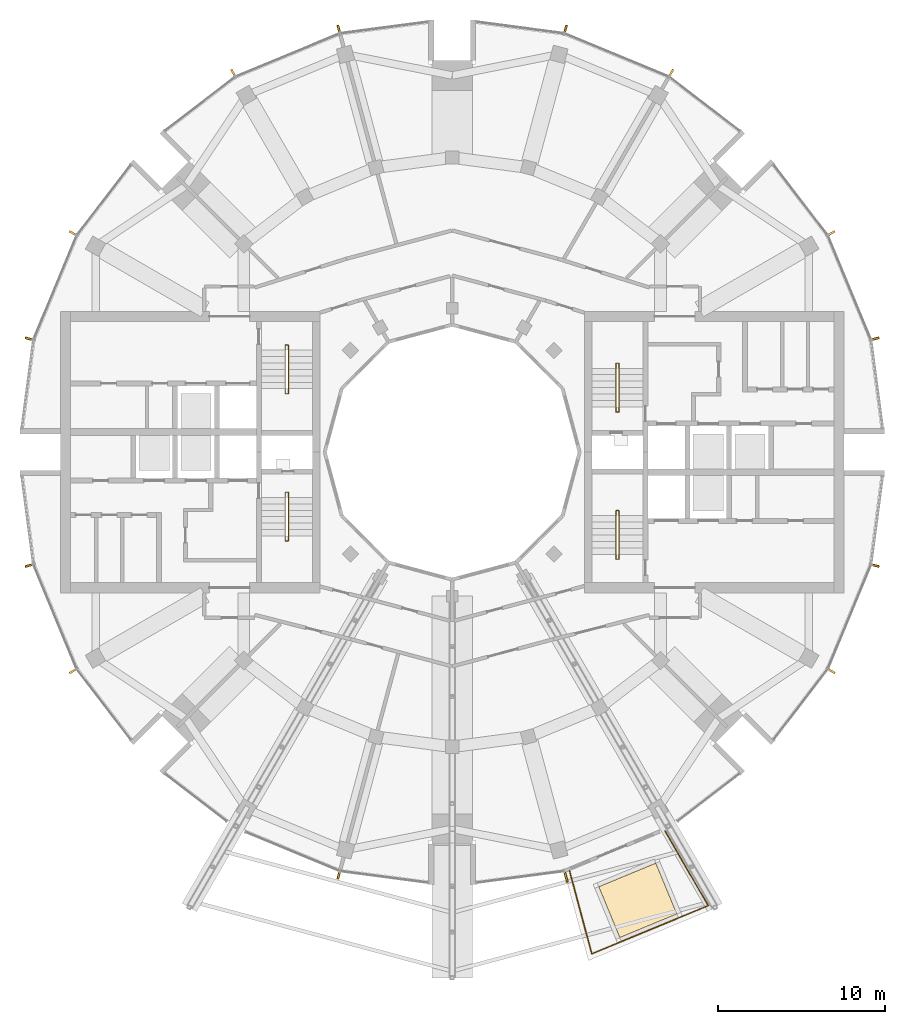
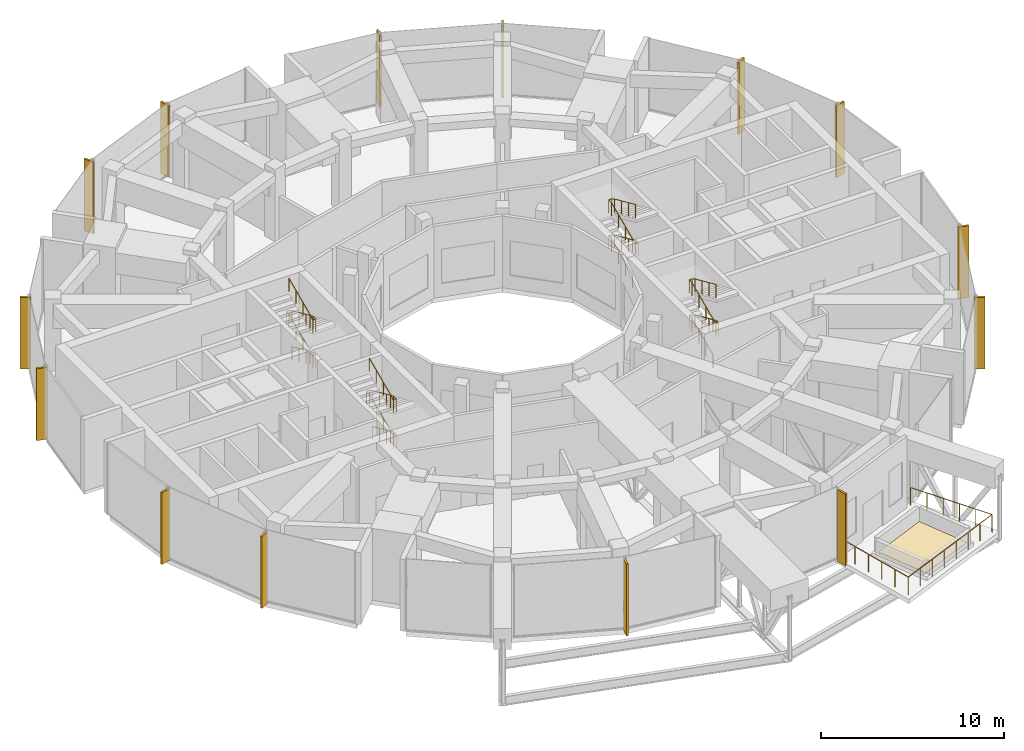
# One storey, part 16 of 17: 14 shading devices, 5 railings, 1 covering.
"""IFC4 building model written with IfcOpenShell, lengths in metres."""

from ifc_helpers import new_model, si_unit, direction, frame, origin, origin_2d, place, context, subcontext, project, spatial, polyline, rectangle, circle, outline, extrude, material, layer, layer_set, material_profile, profile_set, type_object, element, save


model = new_model("IFC4")

# Units and contexts
model_context = context("Model", 3, precision=1e-05, world=origin(), true_north=direction((0.0, 1.0)))
body_context = subcontext(model_context, "Body", "Model", "MODEL_VIEW")
ifc_project = project(units=[si_unit("LENGTHUNIT", "METRE"), si_unit("AREAUNIT", "SQUARE_METRE"), si_unit("VOLUMEUNIT", "CUBIC_METRE"), si_unit("PLANEANGLEUNIT", "RADIAN"), si_unit("MASSUNIT", "GRAM", prefix="KILO")], contexts=[model_context])

# Site, building, storey
site_placement = place(None, origin())
site = spatial("IfcSite", under=ifc_project, at=site_placement, CompositionType="ELEMENT")
building_placement = place(site_placement, origin())
building = spatial("IfcBuilding", under=site, at=building_placement, Name="Torre Brocal", CompositionType="ELEMENT")
storey_placement = place(building_placement, frame((0.0, 0.0, 270.89990234375)))
storey = spatial("IfcBuildingStorey", under=building, at=storey_placement, Name="L62", CompositionType="ELEMENT", Elevation=270.89990234375)

# Shading devices
ifc_material_1 = material(Name="Aluminium, black anodised", Category="aluminium")
ifc_material_profile = material_profile(ifc_material_1, rectangle(XDim=0.1201171875, YDim=0.60009765625, at=origin_2d()), Name="FIN 120X600 4800 HIGH")
ifc_profile_set = profile_set([ifc_material_profile], Name="Aluminium, black anodised")
shading_device_type = type_object("IfcShadingDeviceType", Name="FIN 120X600 4800 HIGH", PredefinedType="USERDEFINED", material=ifc_profile_set)
for number, where, z_axis, x_axis, name in (
    (1, (105.208984375, 81.754638671875, -0.14990234375), (0.0, 0.0, 1.0), (-0.258819045103, 0.965925826289, 0.0), "FIN"),
    (2, (102.601806640625, 88.049072265625, -0.14990234375), (0.0, 0.0, 1.0), (-0.5, 0.866025403784, 0.0), "FIN"),
    (3, (93.049072265625, 97.601806640625, -0.14990234375), (0.0, 0.0, 1.0), (-0.866025403784, 0.5, 0.0), "FIN"),
    (4, (86.754638671875, 100.208984375, -0.14990234375), (0.0, 0.0, 1.0), (-0.965925826289, 0.258819045103, 0.0), "FIN"),
    (5, (73.245361328125, 100.208984375, -0.14990234375), (0.0, 0.0, 1.0), (-0.965925826289, -0.258819045103, 0.0), "FIN"),
    (6, (66.950927734375, 97.601806640625, -0.14990234375), (0.0, 0.0, 1.0), (-0.866025403784, -0.5, 0.0), "FIN"),
    (7, (57.398193359375, 88.049072265625, -0.14990234375), (0.0, 0.0, 1.0), (-0.5, -0.866025403784, 0.0), "FIN"),
    (8, (54.791015625, 81.754638671875, -0.14990234375), (0.0, 0.0, 1.0), (-0.258819045103, -0.965925826289, 0.0), "FIN"),
    (9, (54.791015625, 68.245361328125, -0.14990234375), (0.0, 0.0, 1.0), (0.258819045103, -0.965925826289, 0.0), "FIN"),
    (10, (57.398193359375, 61.950927734375, -0.14990234375), (0.0, 0.0, 1.0), (0.5, -0.866025403784, 0.0), "FIN"),
    (11, (73.245361328125, 49.791015625, -0.14990234375), (0.0, 0.0, 1.0), (0.965925826289, -0.258819045103, 0.0), "FIN"),
    (12, (86.804931640625, 49.603759765625, -0.14990234375), (0.0, 0.0, 1.0), (0.965925826289, 0.258819045103, 0.0), "FIN"),
    (13, (102.601806640625, 61.950927734375, -0.14990234375), (0.0, 0.0, 1.0), (0.5, 0.866025403784, 0.0), "FIN"),
    (14, (105.208984375, 68.245361328125, -0.14990234375), (0.0, 0.0, 1.0), (0.258819045103, 0.965925826289, 0.0), "FIN"),
):
    element("IfcShadingDevice", number, at=place(storey_placement, frame(where, z_axis=z_axis, x_axis=x_axis)), inside=storey, type_object=shading_device_type, Name=name, ObjectType="FIN", PredefinedType="USERDEFINED", context=body_context, shape_type="SweptSolid", body=[
        extrude(rectangle(XDim=0.1201171875, YDim=0.60009765625, at=origin_2d()), origin(), (0.0, 0.0, 1.0), 4.800048828125),
    ])

# Railing
ifc_material_2 = material(Name="Laminated glass", Category="glass")
railing_type_1 = type_object("IfcRailingType", Name="POOL BALUSTRADE 1200", PredefinedType="BALUSTRADE", material=ifc_material_2)
railing_1_placement = place(storey_placement, frame((87.0087890625, 50.001708984375, 0.0)))
element("IfcRailing", 15, at=railing_1_placement, inside=storey, type_object=railing_type_1, Name="POOL BALUSTRADE", PredefinedType="BALUSTRADE", context=body_context, shape_type="SweptSolid", body=[
    extrude(circle(Radius=0.02392578125, at=origin_2d()), frame((0.0, 0.0, 1.17578125), z_axis=(0.258849954907, -0.965917543502, 0.0), x_axis=(0.965917543502, 0.258849954907, 0.0)), (0.0, 0.0, 1.0), 5.14404296875),
    extrude(circle(Radius=0.02392578125, at=origin_2d()), frame((1.33154296875, -4.96875, 1.17578125), z_axis=(0.923881200375, 0.38267940576, 0.0), x_axis=(-0.38267940576, 0.923881200375, 0.0)), (0.0, 0.0, 1.0), 7.52490234375),
    extrude(circle(Radius=0.02392578125, at=origin_2d()), frame((8.28369140625, -2.089111328125, 1.17578125), z_axis=(-0.500003190742, 0.866023561601, 0.0), x_axis=(-0.866023561601, -0.500003190742, 0.0)), (0.0, 0.0, 1.0), 5.14404296875),
    extrude(circle(Radius=0.02099609375, at=origin_2d()), origin(), (0.0, 0.0, 1.0), 1.15185546875),
    extrude(circle(Radius=0.02099609375, at=origin_2d()), frame((0.266357421875, -0.99365234375, 0.0)), (0.0, 0.0, 1.0), 1.15185546875),
    extrude(circle(Radius=0.02099609375, at=origin_2d()), frame((0.53271484375, -1.987548828125, 0.0)), (0.0, 0.0, 1.0), 1.15185546875),
    extrude(circle(Radius=0.02099609375, at=origin_2d()), frame((0.798828125, -2.981201171875, 0.0)), (0.0, 0.0, 1.0), 1.15185546875),
    extrude(circle(Radius=0.02099609375, at=origin_2d()), frame((1.065185546875, -3.97509765625, 0.0)), (0.0, 0.0, 1.0), 1.15185546875),
    extrude(circle(Radius=0.02099609375, at=origin_2d()), frame((1.33154296875, -4.96875, 0.0)), (0.0, 0.0, 1.0), 1.15185546875),
    extrude(circle(Radius=0.02099609375, at=origin_2d()), frame((2.32470703125, -4.557373046875, 0.0)), (0.0, 0.0, 1.0), 1.15185546875),
    extrude(circle(Radius=0.02099609375, at=origin_2d()), frame((3.31787109375, -4.14599609375, 0.0)), (0.0, 0.0, 1.0), 1.15185546875),
    extrude(circle(Radius=0.02099609375, at=origin_2d()), frame((4.31103515625, -3.734619140625, 0.0)), (0.0, 0.0, 1.0), 1.15185546875),
    extrude(circle(Radius=0.02099609375, at=origin_2d()), frame((5.30419921875, -3.3232421875, 0.0)), (0.0, 0.0, 1.0), 1.15185546875),
    extrude(circle(Radius=0.02099609375, at=origin_2d()), frame((6.29736328125, -2.911865234375, 0.0)), (0.0, 0.0, 1.0), 1.15185546875),
    extrude(circle(Radius=0.02099609375, at=origin_2d()), frame((7.29052734375, -2.50048828125, 0.0)), (0.0, 0.0, 1.0), 1.15185546875),
    extrude(circle(Radius=0.02099609375, at=origin_2d()), frame((8.28369140625, -2.089111328125, 0.0)), (0.0, 0.0, 1.0), 1.15185546875),
    extrude(circle(Radius=0.02099609375, at=origin_2d()), frame((7.769287109375, -1.1982421875, 0.0)), (0.0, 0.0, 1.0), 1.15185546875),
    extrude(circle(Radius=0.02099609375, at=origin_2d()), frame((7.2548828125, -0.30712890625, 0.0)), (0.0, 0.0, 1.0), 1.15185546875),
    extrude(circle(Radius=0.02099609375, at=origin_2d()), frame((6.740478515625, 0.583740234375, 0.0)), (0.0, 0.0, 1.0), 1.15185546875),
    extrude(circle(Radius=0.02099609375, at=origin_2d()), frame((6.22607421875, 1.474853515625, 0.0)), (0.0, 0.0, 1.0), 1.15185546875),
    extrude(circle(Radius=0.02099609375, at=origin_2d()), frame((5.711669921875, 2.36572265625, 0.0)), (0.0, 0.0, 1.0), 1.15185546875),
])

# Covering
ifc_material_3 = material(Name="Pool tiling")
ifc_layer = layer(ifc_material_3, 0.02001953125)
ifc_layer_set = layer_set([ifc_layer], Name="Pool tiling")
covering_type = type_object("IfcCoveringType", Name="POOL TILING 20", PredefinedType="FLOORING", material=ifc_layer_set)
covering_placement = place(storey_placement, frame((0.0, 0.0, 0.25)))
element("IfcCovering", 16, at=covering_placement, inside=storey, type_object=covering_type, Name="POOL TILING", PredefinedType="FLOORING", context=body_context, shape_type="SweptSolid", body=[
    extrude(outline(polyline([(88.76171875, 49.039306640625), (92.16162109375, 50.447509765625), (93.416748046875, 47.417236328125), (90.016845703125, 46.009033203125), (88.76171875, 49.039306640625)])), origin(), (0.0, 0.0, 1.0), 0.02001953125),
])

# Railings
ifc_material_4 = material(Name="Stainless steel AISI 316", Category="steel")
railing_type_2 = type_object("IfcRailingType", Name="STAIR HANDRAIL", PredefinedType="HANDRAIL", material=ifc_material_4)
railing_2_placement = place(storey_placement, frame((89.780029296875, 77.699951171875, 0.171630859375)))
element("IfcRailing", 17, at=railing_2_placement, inside=storey, type_object=railing_type_2, Name="HANDRAIL ST1", PredefinedType="HANDRAIL", context=body_context, shape_type="SweptSolid", body=[
    extrude(circle(Radius=0.02392578125, at=origin_2d()), frame((0.0, 0.0, 0.8759765625), z_axis=(0.0, 0.913536625844, 0.40675647904), x_axis=(-1.0, 0.0, 0.0)), (0.0, 0.0, 1.0), 2.52880859375),
    extrude(circle(Radius=0.02392578125, at=origin_2d()), frame((0.0, 2.31005859375, 1.904296875), z_axis=(0.0, 1.0, 0.0), x_axis=(-1.0, 0.0, 0.0)), (0.0, 0.0, 1.0), 0.300048828125),
    extrude(circle(Radius=0.02392578125, at=origin_2d()), frame((0.0, 2.610107421875, 1.904296875), z_axis=(1.0, 0.0, 0.0), x_axis=(0.0, 1.0, 0.0)), (0.0, 0.0, 1.0), 0.18994140625),
    extrude(circle(Radius=0.02392578125, at=origin_2d()), frame((0.18994140625, 2.610107421875, 1.904296875), z_axis=(0.0, -0.868330086799, 0.495986754217), x_axis=(1.0, 0.0, 0.0)), (0.0, 0.0, 1.0), 0.345458984375),
    extrude(circle(Radius=0.02392578125, at=origin_2d()), frame((0.18994140625, 2.31005859375, 2.07568359375), z_axis=(0.0, -0.913536625844, 0.40675647904), x_axis=(1.0, 0.0, 0.0)), (0.0, 0.0, 1.0), 2.52880859375),
    extrude(circle(Radius=0.02392578125, at=origin_2d()), frame((0.18994140625, 0.0, 3.1044921875), z_axis=(0.0, -1.0, 0.0), x_axis=(1.0, 0.0, 0.0)), (0.0, 0.0, 1.0), 0.300048828125),
    extrude(circle(Radius=0.02392578125, at=origin_2d()), frame((0.18994140625, -0.300048828125, 3.1044921875), z_axis=(-1.0, 0.0, 0.0), x_axis=(0.0, -1.0, 0.0)), (0.0, 0.0, 1.0), 0.18994140625),
    extrude(circle(Radius=0.02392578125, at=origin_2d()), frame((0.0, -0.300048828125, 3.1044921875), z_axis=(0.0, 0.868330086799, 0.495986754217), x_axis=(-1.0, 0.0, 0.0)), (0.0, 0.0, 1.0), 0.345458984375),
    extrude(circle(Radius=0.02392578125, at=origin_2d()), frame((0.0, 0.0, 3.27587890625), z_axis=(0.0, 0.913536625844, 0.40675647904), x_axis=(-1.0, 0.0, 0.0)), (0.0, 0.0, 1.0), 2.52880859375),
    extrude(circle(Radius=0.02392578125, at=origin_2d()), frame((0.0, 2.31005859375, 4.30419921875), z_axis=(0.0, 1.0, 0.0), x_axis=(-1.0, 0.0, 0.0)), (0.0, 0.0, 1.0), 0.300048828125),
    extrude(circle(Radius=0.02392578125, at=origin_2d()), frame((0.0, 2.610107421875, 4.30419921875), z_axis=(1.0, 0.0, 0.0), x_axis=(0.0, 1.0, 0.0)), (0.0, 0.0, 1.0), 0.18994140625),
    extrude(circle(Radius=0.02392578125, at=origin_2d()), frame((0.18994140625, 2.610107421875, 4.30419921875), z_axis=(0.0, -0.868330086799, 0.495986754217), x_axis=(1.0, 0.0, 0.0)), (0.0, 0.0, 1.0), 0.345458984375),
    extrude(circle(Radius=0.02392578125, at=origin_2d()), frame((0.18994140625, 2.31005859375, 4.4755859375), z_axis=(0.0, -0.913536625844, 0.40675647904), x_axis=(1.0, 0.0, 0.0)), (0.0, 0.0, 1.0), 2.52880859375),
    extrude(circle(Radius=0.02099609375, at=origin_2d()), origin(), (0.0, 0.0, 1.0), 0.851806640625),
    extrude(circle(Radius=0.02099609375, at=origin_2d()), frame((0.0, 0.77001953125, 0.3427734375)), (0.0, 0.0, 1.0), 0.851806640625),
    extrude(circle(Radius=0.02099609375, at=origin_2d()), frame((0.0, 1.5400390625, 0.685791015625)), (0.0, 0.0, 1.0), 0.851806640625),
    extrude(circle(Radius=0.02099609375, at=origin_2d()), frame((0.0, 2.31005859375, 1.028564453125)), (0.0, 0.0, 1.0), 0.851806640625),
    extrude(circle(Radius=0.02099609375, at=origin_2d()), frame((0.0, 2.610107421875, 1.028564453125)), (0.0, 0.0, 1.0), 0.851806640625),
    extrude(circle(Radius=0.02099609375, at=origin_2d()), frame((0.18994140625, 2.610107421875, 1.028564453125)), (0.0, 0.0, 1.0), 0.851806640625),
    extrude(circle(Radius=0.02099609375, at=origin_2d()), frame((0.18994140625, 2.31005859375, 1.199951171875)), (0.0, 0.0, 1.0), 0.851806640625),
    extrude(circle(Radius=0.02099609375, at=origin_2d()), frame((0.18994140625, 1.5400390625, 1.542724609375)), (0.0, 0.0, 1.0), 0.851806640625),
    extrude(circle(Radius=0.02099609375, at=origin_2d()), frame((0.18994140625, 0.77001953125, 1.8857421875)), (0.0, 0.0, 1.0), 0.851806640625),
    extrude(circle(Radius=0.02099609375, at=origin_2d()), frame((0.18994140625, 0.0, 2.228515625)), (0.0, 0.0, 1.0), 0.851806640625),
    extrude(circle(Radius=0.02099609375, at=origin_2d()), frame((0.18994140625, -0.300048828125, 2.228515625)), (0.0, 0.0, 1.0), 0.851806640625),
    extrude(circle(Radius=0.02099609375, at=origin_2d()), frame((0.0, -0.300048828125, 2.228515625)), (0.0, 0.0, 1.0), 0.851806640625),
    extrude(circle(Radius=0.02099609375, at=origin_2d()), frame((0.0, 0.0, 2.39990234375)), (0.0, 0.0, 1.0), 0.851806640625),
    extrude(circle(Radius=0.02099609375, at=origin_2d()), frame((0.0, 0.77001953125, 2.74267578125)), (0.0, 0.0, 1.0), 0.851806640625),
    extrude(circle(Radius=0.02099609375, at=origin_2d()), frame((0.0, 1.5400390625, 3.085693359375)), (0.0, 0.0, 1.0), 0.851806640625),
    extrude(circle(Radius=0.02099609375, at=origin_2d()), frame((0.0, 2.31005859375, 3.428466796875)), (0.0, 0.0, 1.0), 0.851806640625),
    extrude(circle(Radius=0.02099609375, at=origin_2d()), frame((0.0, 2.610107421875, 3.428466796875)), (0.0, 0.0, 1.0), 0.851806640625),
    extrude(circle(Radius=0.02099609375, at=origin_2d()), frame((0.18994140625, 2.610107421875, 3.428466796875)), (0.0, 0.0, 1.0), 0.851806640625),
    extrude(circle(Radius=0.02099609375, at=origin_2d()), frame((0.18994140625, 2.31005859375, 3.599853515625)), (0.0, 0.0, 1.0), 0.851806640625),
    extrude(circle(Radius=0.02099609375, at=origin_2d()), frame((0.18994140625, 1.5400390625, 3.942626953125)), (0.0, 0.0, 1.0), 0.851806640625),
    extrude(circle(Radius=0.02099609375, at=origin_2d()), frame((0.18994140625, 0.77001953125, 4.28564453125)), (0.0, 0.0, 1.0), 0.851806640625),
    extrude(circle(Radius=0.02099609375, at=origin_2d()), frame((0.18994140625, 0.0, 4.62841796875)), (0.0, 0.0, 1.0), 0.851806640625),
])
railing_3_placement = place(storey_placement, frame((89.780029296875, 68.89990234375, 0.171630859375)))
element("IfcRailing", 18, at=railing_3_placement, inside=storey, type_object=railing_type_2, Name="HANDRAIL ST2", PredefinedType="HANDRAIL", context=body_context, shape_type="SweptSolid", body=[
    extrude(circle(Radius=0.02392578125, at=origin_2d()), frame((0.0, 0.0, 0.8759765625), z_axis=(0.0, 0.913536625844, 0.40675647904), x_axis=(-1.0, 0.0, 0.0)), (0.0, 0.0, 1.0), 2.52880859375),
    extrude(circle(Radius=0.02392578125, at=origin_2d()), frame((0.0, 2.31005859375, 1.904296875), z_axis=(0.0, 1.0, 0.0), x_axis=(-1.0, 0.0, 0.0)), (0.0, 0.0, 1.0), 0.300048828125),
    extrude(circle(Radius=0.02392578125, at=origin_2d()), frame((0.0, 2.610107421875, 1.904296875), z_axis=(1.0, 0.0, 0.0), x_axis=(0.0, 1.0, 0.0)), (0.0, 0.0, 1.0), 0.18994140625),
    extrude(circle(Radius=0.02392578125, at=origin_2d()), frame((0.18994140625, 2.610107421875, 1.904296875), z_axis=(0.0, -0.868330086799, 0.495986754217), x_axis=(1.0, 0.0, 0.0)), (0.0, 0.0, 1.0), 0.345458984375),
    extrude(circle(Radius=0.02392578125, at=origin_2d()), frame((0.18994140625, 2.31005859375, 2.07568359375), z_axis=(0.0, -0.913536625844, 0.40675647904), x_axis=(1.0, 0.0, 0.0)), (0.0, 0.0, 1.0), 2.52880859375),
    extrude(circle(Radius=0.02392578125, at=origin_2d()), frame((0.18994140625, 0.0, 3.1044921875), z_axis=(0.0, -1.0, 0.0), x_axis=(1.0, 0.0, 0.0)), (0.0, 0.0, 1.0), 0.2998046875),
    extrude(circle(Radius=0.02392578125, at=origin_2d()), frame((0.18994140625, -0.2998046875, 3.1044921875), z_axis=(-1.0, 0.0, 0.0), x_axis=(0.0, -1.0, 0.0)), (0.0, 0.0, 1.0), 0.18994140625),
    extrude(circle(Radius=0.02392578125, at=origin_2d()), frame((0.0, -0.2998046875, 3.1044921875), z_axis=(0.0, 0.868156117385, 0.496291200655), x_axis=(-1.0, 0.0, 0.0)), (0.0, 0.0, 1.0), 0.34521484375),
    extrude(circle(Radius=0.02392578125, at=origin_2d()), frame((0.0, 0.0, 3.27587890625), z_axis=(0.0, 0.913536625844, 0.40675647904), x_axis=(-1.0, 0.0, 0.0)), (0.0, 0.0, 1.0), 2.52880859375),
    extrude(circle(Radius=0.02392578125, at=origin_2d()), frame((0.0, 2.31005859375, 4.30419921875), z_axis=(0.0, 1.0, 0.0), x_axis=(-1.0, 0.0, 0.0)), (0.0, 0.0, 1.0), 0.300048828125),
    extrude(circle(Radius=0.02392578125, at=origin_2d()), frame((0.0, 2.610107421875, 4.30419921875), z_axis=(1.0, 0.0, 0.0), x_axis=(0.0, 1.0, 0.0)), (0.0, 0.0, 1.0), 0.18994140625),
    extrude(circle(Radius=0.02392578125, at=origin_2d()), frame((0.18994140625, 2.610107421875, 4.30419921875), z_axis=(0.0, -0.868330086799, 0.495986754217), x_axis=(1.0, 0.0, 0.0)), (0.0, 0.0, 1.0), 0.345458984375),
    extrude(circle(Radius=0.02392578125, at=origin_2d()), frame((0.18994140625, 2.31005859375, 4.4755859375), z_axis=(0.0, -0.913536625844, 0.40675647904), x_axis=(1.0, 0.0, 0.0)), (0.0, 0.0, 1.0), 2.52880859375),
    extrude(circle(Radius=0.02099609375, at=origin_2d()), origin(), (0.0, 0.0, 1.0), 0.851806640625),
    extrude(circle(Radius=0.02099609375, at=origin_2d()), frame((0.0, 0.77001953125, 0.3427734375)), (0.0, 0.0, 1.0), 0.851806640625),
    extrude(circle(Radius=0.02099609375, at=origin_2d()), frame((0.0, 1.5400390625, 0.685791015625)), (0.0, 0.0, 1.0), 0.851806640625),
    extrude(circle(Radius=0.02099609375, at=origin_2d()), frame((0.0, 2.31005859375, 1.028564453125)), (0.0, 0.0, 1.0), 0.851806640625),
    extrude(circle(Radius=0.02099609375, at=origin_2d()), frame((0.0, 2.610107421875, 1.028564453125)), (0.0, 0.0, 1.0), 0.851806640625),
    extrude(circle(Radius=0.02099609375, at=origin_2d()), frame((0.18994140625, 2.610107421875, 1.028564453125)), (0.0, 0.0, 1.0), 0.851806640625),
    extrude(circle(Radius=0.02099609375, at=origin_2d()), frame((0.18994140625, 2.31005859375, 1.199951171875)), (0.0, 0.0, 1.0), 0.851806640625),
    extrude(circle(Radius=0.02099609375, at=origin_2d()), frame((0.18994140625, 1.5400390625, 1.542724609375)), (0.0, 0.0, 1.0), 0.851806640625),
    extrude(circle(Radius=0.02099609375, at=origin_2d()), frame((0.18994140625, 0.77001953125, 1.8857421875)), (0.0, 0.0, 1.0), 0.851806640625),
    extrude(circle(Radius=0.02099609375, at=origin_2d()), frame((0.18994140625, 0.0, 2.228515625)), (0.0, 0.0, 1.0), 0.851806640625),
    extrude(circle(Radius=0.02099609375, at=origin_2d()), frame((0.18994140625, -0.2998046875, 2.228515625)), (0.0, 0.0, 1.0), 0.851806640625),
    extrude(circle(Radius=0.02099609375, at=origin_2d()), frame((0.0, -0.2998046875, 2.228515625)), (0.0, 0.0, 1.0), 0.851806640625),
    extrude(circle(Radius=0.02099609375, at=origin_2d()), frame((0.0, 0.0, 2.39990234375)), (0.0, 0.0, 1.0), 0.851806640625),
    extrude(circle(Radius=0.02099609375, at=origin_2d()), frame((0.0, 0.77001953125, 2.74267578125)), (0.0, 0.0, 1.0), 0.851806640625),
    extrude(circle(Radius=0.02099609375, at=origin_2d()), frame((0.0, 1.5400390625, 3.085693359375)), (0.0, 0.0, 1.0), 0.851806640625),
    extrude(circle(Radius=0.02099609375, at=origin_2d()), frame((0.0, 2.31005859375, 3.428466796875)), (0.0, 0.0, 1.0), 0.851806640625),
    extrude(circle(Radius=0.02099609375, at=origin_2d()), frame((0.0, 2.610107421875, 3.428466796875)), (0.0, 0.0, 1.0), 0.851806640625),
    extrude(circle(Radius=0.02099609375, at=origin_2d()), frame((0.18994140625, 2.610107421875, 3.428466796875)), (0.0, 0.0, 1.0), 0.851806640625),
    extrude(circle(Radius=0.02099609375, at=origin_2d()), frame((0.18994140625, 2.31005859375, 3.599853515625)), (0.0, 0.0, 1.0), 0.851806640625),
    extrude(circle(Radius=0.02099609375, at=origin_2d()), frame((0.18994140625, 1.5400390625, 3.942626953125)), (0.0, 0.0, 1.0), 0.851806640625),
    extrude(circle(Radius=0.02099609375, at=origin_2d()), frame((0.18994140625, 0.77001953125, 4.28564453125)), (0.0, 0.0, 1.0), 0.851806640625),
    extrude(circle(Radius=0.02099609375, at=origin_2d()), frame((0.18994140625, 0.0, 4.62841796875)), (0.0, 0.0, 1.0), 0.851806640625),
])
railing_4_placement = place(storey_placement, frame((70.219970703125, 72.300048828125, 0.171630859375)))
element("IfcRailing", 19, at=railing_4_placement, inside=storey, type_object=railing_type_2, Name="HANDRAIL ST3", PredefinedType="HANDRAIL", context=body_context, shape_type="SweptSolid", body=[
    extrude(circle(Radius=0.02392578125, at=origin_2d()), frame((0.0, 0.0, 0.8759765625), z_axis=(0.0, -0.913536625844, 0.40675647904), x_axis=(1.0, 0.0, 0.0)), (0.0, 0.0, 1.0), 2.52880859375),
    extrude(circle(Radius=0.02392578125, at=origin_2d()), frame((0.0, -2.31005859375, 1.904296875), z_axis=(0.0, -1.0, 0.0), x_axis=(1.0, 0.0, 0.0)), (0.0, 0.0, 1.0), 0.300048828125),
    extrude(circle(Radius=0.02392578125, at=origin_2d()), frame((0.0, -2.610107421875, 1.904296875), z_axis=(-1.0, 0.0, 0.0), x_axis=(0.0, -1.0, 0.0)), (0.0, 0.0, 1.0), 0.18994140625),
    extrude(circle(Radius=0.02392578125, at=origin_2d()), frame((-0.18994140625, -2.610107421875, 1.904296875), z_axis=(0.0, 0.868330086799, 0.495986754217), x_axis=(-1.0, 0.0, 0.0)), (0.0, 0.0, 1.0), 0.345458984375),
    extrude(circle(Radius=0.02392578125, at=origin_2d()), frame((-0.18994140625, -2.31005859375, 2.07568359375), z_axis=(0.0, 0.913536625844, 0.40675647904), x_axis=(-1.0, 0.0, 0.0)), (0.0, 0.0, 1.0), 2.52880859375),
    extrude(circle(Radius=0.02392578125, at=origin_2d()), frame((-0.18994140625, 0.0, 3.1044921875), z_axis=(0.0, 1.0, 0.0), x_axis=(-1.0, 0.0, 0.0)), (0.0, 0.0, 1.0), 0.300048828125),
    extrude(circle(Radius=0.02392578125, at=origin_2d()), frame((-0.18994140625, 0.300048828125, 3.1044921875), z_axis=(1.0, 0.0, 0.0), x_axis=(0.0, 1.0, 0.0)), (0.0, 0.0, 1.0), 0.18994140625),
    extrude(circle(Radius=0.02392578125, at=origin_2d()), frame((0.0, 0.300048828125, 3.1044921875), z_axis=(0.0, -0.868330086799, 0.495986754217), x_axis=(1.0, 0.0, 0.0)), (0.0, 0.0, 1.0), 0.345458984375),
    extrude(circle(Radius=0.02392578125, at=origin_2d()), frame((0.0, 0.0, 3.27587890625), z_axis=(0.0, -0.913536625844, 0.40675647904), x_axis=(1.0, 0.0, 0.0)), (0.0, 0.0, 1.0), 2.52880859375),
    extrude(circle(Radius=0.02392578125, at=origin_2d()), frame((0.0, -2.31005859375, 4.30419921875), z_axis=(0.0, -1.0, 0.0), x_axis=(1.0, 0.0, 0.0)), (0.0, 0.0, 1.0), 0.300048828125),
    extrude(circle(Radius=0.02392578125, at=origin_2d()), frame((0.0, -2.610107421875, 4.30419921875), z_axis=(-1.0, 0.0, 0.0), x_axis=(0.0, -1.0, 0.0)), (0.0, 0.0, 1.0), 0.18994140625),
    extrude(circle(Radius=0.02392578125, at=origin_2d()), frame((-0.18994140625, -2.610107421875, 4.30419921875), z_axis=(0.0, 0.868330086799, 0.495986754217), x_axis=(-1.0, 0.0, 0.0)), (0.0, 0.0, 1.0), 0.345458984375),
    extrude(circle(Radius=0.02392578125, at=origin_2d()), frame((-0.18994140625, -2.31005859375, 4.4755859375), z_axis=(0.0, 0.913536625844, 0.40675647904), x_axis=(-1.0, 0.0, 0.0)), (0.0, 0.0, 1.0), 2.52880859375),
    extrude(circle(Radius=0.02099609375, at=origin_2d()), origin(), (0.0, 0.0, 1.0), 0.851806640625),
    extrude(circle(Radius=0.02099609375, at=origin_2d()), frame((0.0, -0.77001953125, 0.3427734375)), (0.0, 0.0, 1.0), 0.851806640625),
    extrude(circle(Radius=0.02099609375, at=origin_2d()), frame((0.0, -1.5400390625, 0.685791015625)), (0.0, 0.0, 1.0), 0.851806640625),
    extrude(circle(Radius=0.02099609375, at=origin_2d()), frame((0.0, -2.31005859375, 1.028564453125)), (0.0, 0.0, 1.0), 0.851806640625),
    extrude(circle(Radius=0.02099609375, at=origin_2d()), frame((0.0, -2.610107421875, 1.028564453125)), (0.0, 0.0, 1.0), 0.851806640625),
    extrude(circle(Radius=0.02099609375, at=origin_2d()), frame((-0.18994140625, -2.610107421875, 1.028564453125)), (0.0, 0.0, 1.0), 0.851806640625),
    extrude(circle(Radius=0.02099609375, at=origin_2d()), frame((-0.18994140625, -2.31005859375, 1.199951171875)), (0.0, 0.0, 1.0), 0.851806640625),
    extrude(circle(Radius=0.02099609375, at=origin_2d()), frame((-0.18994140625, -1.5400390625, 1.542724609375)), (0.0, 0.0, 1.0), 0.851806640625),
    extrude(circle(Radius=0.02099609375, at=origin_2d()), frame((-0.18994140625, -0.77001953125, 1.8857421875)), (0.0, 0.0, 1.0), 0.851806640625),
    extrude(circle(Radius=0.02099609375, at=origin_2d()), frame((-0.18994140625, 0.0, 2.228515625)), (0.0, 0.0, 1.0), 0.851806640625),
    extrude(circle(Radius=0.02099609375, at=origin_2d()), frame((-0.18994140625, 0.300048828125, 2.228515625)), (0.0, 0.0, 1.0), 0.851806640625),
    extrude(circle(Radius=0.02099609375, at=origin_2d()), frame((0.0, 0.300048828125, 2.228515625)), (0.0, 0.0, 1.0), 0.851806640625),
    extrude(circle(Radius=0.02099609375, at=origin_2d()), frame((0.0, 0.0, 2.39990234375)), (0.0, 0.0, 1.0), 0.851806640625),
    extrude(circle(Radius=0.02099609375, at=origin_2d()), frame((0.0, -0.77001953125, 2.74267578125)), (0.0, 0.0, 1.0), 0.851806640625),
    extrude(circle(Radius=0.02099609375, at=origin_2d()), frame((0.0, -1.5400390625, 3.085693359375)), (0.0, 0.0, 1.0), 0.851806640625),
    extrude(circle(Radius=0.02099609375, at=origin_2d()), frame((0.0, -2.31005859375, 3.428466796875)), (0.0, 0.0, 1.0), 0.851806640625),
    extrude(circle(Radius=0.02099609375, at=origin_2d()), frame((0.0, -2.610107421875, 3.428466796875)), (0.0, 0.0, 1.0), 0.851806640625),
    extrude(circle(Radius=0.02099609375, at=origin_2d()), frame((-0.18994140625, -2.610107421875, 3.428466796875)), (0.0, 0.0, 1.0), 0.851806640625),
    extrude(circle(Radius=0.02099609375, at=origin_2d()), frame((-0.18994140625, -2.31005859375, 3.599853515625)), (0.0, 0.0, 1.0), 0.851806640625),
    extrude(circle(Radius=0.02099609375, at=origin_2d()), frame((-0.18994140625, -1.5400390625, 3.942626953125)), (0.0, 0.0, 1.0), 0.851806640625),
    extrude(circle(Radius=0.02099609375, at=origin_2d()), frame((-0.18994140625, -0.77001953125, 4.28564453125)), (0.0, 0.0, 1.0), 0.851806640625),
    extrude(circle(Radius=0.02099609375, at=origin_2d()), frame((-0.18994140625, 0.0, 4.62841796875)), (0.0, 0.0, 1.0), 0.851806640625),
])
railing_5_placement = place(storey_placement, frame((70.219970703125, 81.10009765625, 0.171630859375)))
element("IfcRailing", 20, at=railing_5_placement, inside=storey, type_object=railing_type_2, Name="HANDRAIL ST4", PredefinedType="HANDRAIL", context=body_context, shape_type="SweptSolid", body=[
    extrude(circle(Radius=0.02392578125, at=origin_2d()), frame((0.0, 0.0, 0.8759765625), z_axis=(0.0, -0.913536625844, 0.40675647904), x_axis=(1.0, 0.0, 0.0)), (0.0, 0.0, 1.0), 2.52880859375),
    extrude(circle(Radius=0.02392578125, at=origin_2d()), frame((0.0, -2.31005859375, 1.904296875), z_axis=(0.0, -1.0, 0.0), x_axis=(1.0, 0.0, 0.0)), (0.0, 0.0, 1.0), 0.300048828125),
    extrude(circle(Radius=0.02392578125, at=origin_2d()), frame((0.0, -2.610107421875, 1.904296875), z_axis=(-1.0, 0.0, 0.0), x_axis=(0.0, -1.0, 0.0)), (0.0, 0.0, 1.0), 0.18994140625),
    extrude(circle(Radius=0.02392578125, at=origin_2d()), frame((-0.18994140625, -2.610107421875, 1.904296875), z_axis=(0.0, 0.868330086799, 0.495986754217), x_axis=(-1.0, 0.0, 0.0)), (0.0, 0.0, 1.0), 0.345458984375),
    extrude(circle(Radius=0.02392578125, at=origin_2d()), frame((-0.18994140625, -2.31005859375, 2.07568359375), z_axis=(0.0, 0.913536625844, 0.40675647904), x_axis=(-1.0, 0.0, 0.0)), (0.0, 0.0, 1.0), 2.52880859375),
    extrude(circle(Radius=0.02392578125, at=origin_2d()), frame((-0.18994140625, 0.0, 3.1044921875), z_axis=(0.0, 1.0, 0.0), x_axis=(-1.0, 0.0, 0.0)), (0.0, 0.0, 1.0), 0.2998046875),
    extrude(circle(Radius=0.02392578125, at=origin_2d()), frame((-0.18994140625, 0.2998046875, 3.1044921875), z_axis=(1.0, 0.0, 0.0), x_axis=(0.0, 1.0, 0.0)), (0.0, 0.0, 1.0), 0.18994140625),
    extrude(circle(Radius=0.02392578125, at=origin_2d()), frame((0.0, 0.2998046875, 3.1044921875), z_axis=(0.0, -0.868156117385, 0.496291200655), x_axis=(1.0, 0.0, 0.0)), (0.0, 0.0, 1.0), 0.34521484375),
    extrude(circle(Radius=0.02392578125, at=origin_2d()), frame((0.0, 0.0, 3.27587890625), z_axis=(0.0, -0.913536625844, 0.40675647904), x_axis=(1.0, 0.0, 0.0)), (0.0, 0.0, 1.0), 2.52880859375),
    extrude(circle(Radius=0.02392578125, at=origin_2d()), frame((0.0, -2.31005859375, 4.30419921875), z_axis=(0.0, -1.0, 0.0), x_axis=(1.0, 0.0, 0.0)), (0.0, 0.0, 1.0), 0.300048828125),
    extrude(circle(Radius=0.02392578125, at=origin_2d()), frame((0.0, -2.610107421875, 4.30419921875), z_axis=(-1.0, 0.0, 0.0), x_axis=(0.0, -1.0, 0.0)), (0.0, 0.0, 1.0), 0.18994140625),
    extrude(circle(Radius=0.02392578125, at=origin_2d()), frame((-0.18994140625, -2.610107421875, 4.30419921875), z_axis=(0.0, 0.868330086799, 0.495986754217), x_axis=(-1.0, 0.0, 0.0)), (0.0, 0.0, 1.0), 0.345458984375),
    extrude(circle(Radius=0.02392578125, at=origin_2d()), frame((-0.18994140625, -2.31005859375, 4.4755859375), z_axis=(0.0, 0.913536625844, 0.40675647904), x_axis=(-1.0, 0.0, 0.0)), (0.0, 0.0, 1.0), 2.52880859375),
    extrude(circle(Radius=0.02099609375, at=origin_2d()), origin(), (0.0, 0.0, 1.0), 0.851806640625),
    extrude(circle(Radius=0.02099609375, at=origin_2d()), frame((0.0, -0.77001953125, 0.3427734375)), (0.0, 0.0, 1.0), 0.851806640625),
    extrude(circle(Radius=0.02099609375, at=origin_2d()), frame((0.0, -1.5400390625, 0.685791015625)), (0.0, 0.0, 1.0), 0.851806640625),
    extrude(circle(Radius=0.02099609375, at=origin_2d()), frame((0.0, -2.31005859375, 1.028564453125)), (0.0, 0.0, 1.0), 0.851806640625),
    extrude(circle(Radius=0.02099609375, at=origin_2d()), frame((0.0, -2.610107421875, 1.028564453125)), (0.0, 0.0, 1.0), 0.851806640625),
    extrude(circle(Radius=0.02099609375, at=origin_2d()), frame((-0.18994140625, -2.610107421875, 1.028564453125)), (0.0, 0.0, 1.0), 0.851806640625),
    extrude(circle(Radius=0.02099609375, at=origin_2d()), frame((-0.18994140625, -2.31005859375, 1.199951171875)), (0.0, 0.0, 1.0), 0.851806640625),
    extrude(circle(Radius=0.02099609375, at=origin_2d()), frame((-0.18994140625, -1.5400390625, 1.542724609375)), (0.0, 0.0, 1.0), 0.851806640625),
    extrude(circle(Radius=0.02099609375, at=origin_2d()), frame((-0.18994140625, -0.77001953125, 1.8857421875)), (0.0, 0.0, 1.0), 0.851806640625),
    extrude(circle(Radius=0.02099609375, at=origin_2d()), frame((-0.18994140625, 0.0, 2.228515625)), (0.0, 0.0, 1.0), 0.851806640625),
    extrude(circle(Radius=0.02099609375, at=origin_2d()), frame((-0.18994140625, 0.2998046875, 2.228515625)), (0.0, 0.0, 1.0), 0.851806640625),
    extrude(circle(Radius=0.02099609375, at=origin_2d()), frame((0.0, 0.2998046875, 2.228515625)), (0.0, 0.0, 1.0), 0.851806640625),
    extrude(circle(Radius=0.02099609375, at=origin_2d()), frame((0.0, 0.0, 2.39990234375)), (0.0, 0.0, 1.0), 0.851806640625),
    extrude(circle(Radius=0.02099609375, at=origin_2d()), frame((0.0, -0.77001953125, 2.74267578125)), (0.0, 0.0, 1.0), 0.851806640625),
    extrude(circle(Radius=0.02099609375, at=origin_2d()), frame((0.0, -1.5400390625, 3.085693359375)), (0.0, 0.0, 1.0), 0.851806640625),
    extrude(circle(Radius=0.02099609375, at=origin_2d()), frame((0.0, -2.31005859375, 3.428466796875)), (0.0, 0.0, 1.0), 0.851806640625),
    extrude(circle(Radius=0.02099609375, at=origin_2d()), frame((0.0, -2.610107421875, 3.428466796875)), (0.0, 0.0, 1.0), 0.851806640625),
    extrude(circle(Radius=0.02099609375, at=origin_2d()), frame((-0.18994140625, -2.610107421875, 3.428466796875)), (0.0, 0.0, 1.0), 0.851806640625),
    extrude(circle(Radius=0.02099609375, at=origin_2d()), frame((-0.18994140625, -2.31005859375, 3.599853515625)), (0.0, 0.0, 1.0), 0.851806640625),
    extrude(circle(Radius=0.02099609375, at=origin_2d()), frame((-0.18994140625, -1.5400390625, 3.942626953125)), (0.0, 0.0, 1.0), 0.851806640625),
    extrude(circle(Radius=0.02099609375, at=origin_2d()), frame((-0.18994140625, -0.77001953125, 4.28564453125)), (0.0, 0.0, 1.0), 0.851806640625),
    extrude(circle(Radius=0.02099609375, at=origin_2d()), frame((-0.18994140625, 0.0, 4.62841796875)), (0.0, 0.0, 1.0), 0.851806640625),
])

save(model, "model.ifc")
